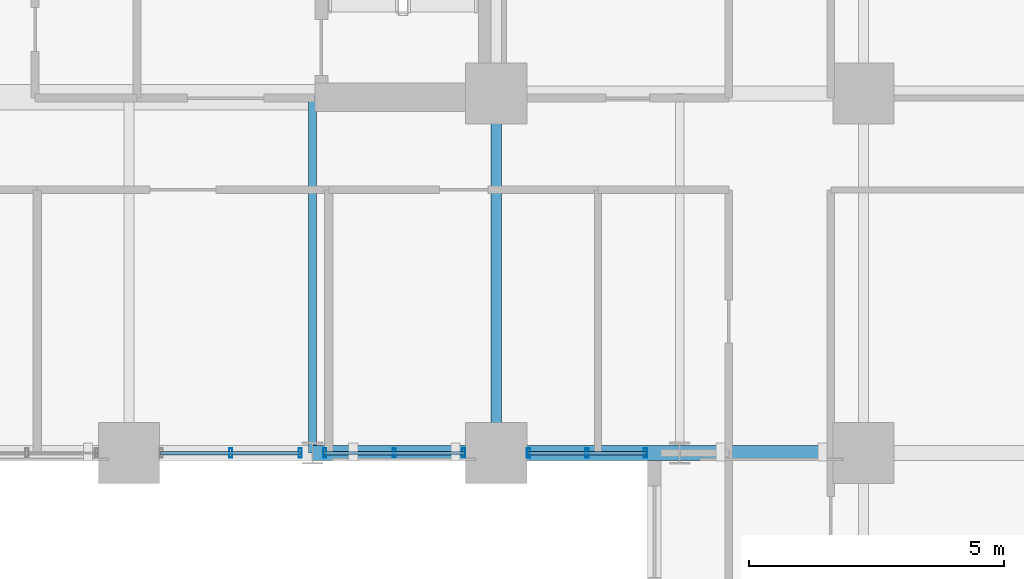
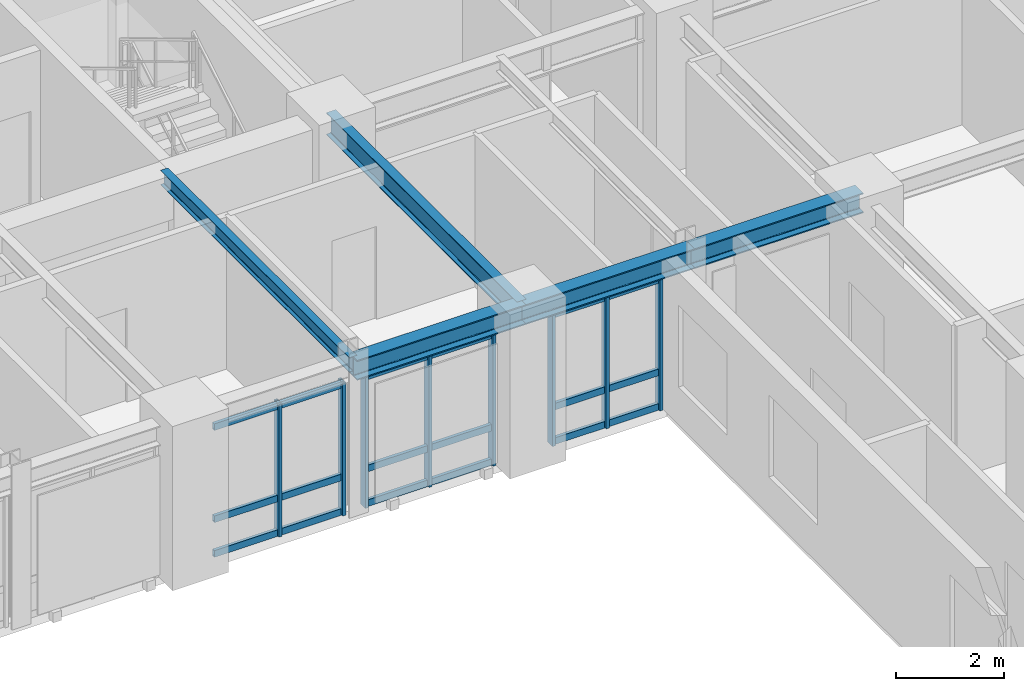
# One storey, part 5 of 16: 17 members, 5 beams, 3 elements without a shape of their own.
"""IFC4 building model written with IfcOpenShell, lengths in metres."""

from ifc_helpers import new_model, si_unit, direction, frame, origin, origin_2d, place, context, subcontext, project, spatial, hollow_rectangle, i_section, extrude, source, transform, mapped, material, layer, layer_set, material_profile, profile_set, type_object, element, aggregate, save


model = new_model("IFC4")

# Units and contexts
model_context = context("Model", 3, precision=1e-05, world=origin(), true_north=direction((0.0, 1.0)))
body_context = subcontext(model_context, "Body", "Model", "MODEL_VIEW")
ifc_project = project(units=[si_unit("LENGTHUNIT", "METRE"), si_unit("AREAUNIT", "SQUARE_METRE"), si_unit("VOLUMEUNIT", "CUBIC_METRE"), si_unit("PLANEANGLEUNIT", "RADIAN"), si_unit("MASSUNIT", "GRAM", prefix="KILO")], contexts=[model_context])

# Site, building, storey
site_placement = place(None, origin())
site = spatial("IfcSite", under=ifc_project, at=site_placement, CompositionType="ELEMENT")
building_placement = place(site_placement, origin())
building = spatial("IfcBuilding", under=site, at=building_placement, Name="Kaliganga Portal Commons", CompositionType="ELEMENT")
storey_placement = place(building_placement, frame((0.0, 0.0, 97.10009765625)))
storey = spatial("IfcBuildingStorey", under=building, at=storey_placement, Name="L24", CompositionType="ELEMENT", Elevation=97.10009765625)

# Beams
ifc_material_1 = material(Name="Structural steel S355J2", Category="steel")
ifc_material_profile_1 = material_profile(ifc_material_1, i_section(OverallWidth=0.199951171875, OverallDepth=0.5, WebThickness=0.01025390625, FlangeThickness=0.01611328125, FilletRadius=0.02099609375, at=origin_2d()), Name="IPE 500")
ifc_profile_set_1 = profile_set([ifc_material_profile_1], Name="Structural steel S355J2 wide-flange")
beam_type_1 = type_object("IfcBeamType", Name="BM-FLR-500", PredefinedType="BEAM", material=ifc_profile_set_1)
shared_shape_1 = source(origin(), body_context, "Body", "SweptSolid", [
    extrude(i_section(OverallWidth=0.199951171875, OverallDepth=0.5, WebThickness=0.01025390625, FlangeThickness=0.01611328125, FilletRadius=0.02099609375, at=origin_2d()), origin(), (0.0, 0.0, 1.0), 7.0498046875),
])
beam_1_placement = place(storey_placement, frame((28.800048828125, 21.60009765625, 3.199951171875), z_axis=(0.0, 1.0, 0.0), x_axis=(-1.0, 0.0, 0.0)))
element("IfcBeam", 1, at=beam_1_placement, inside=storey, type_object=beam_type_1, Name="BM G L24 AS288", PredefinedType="BEAM", context=body_context, shape_type="MappedRepresentation", body=[
    mapped(shared_shape_1, transform((0.0, 0.0, 0.0), x_axis=(1.0, 0.0, 0.0), y_axis=(0.0, 1.0, 0.0), z_axis=(0.0, 0.0, 1.0), scale=1.0)),
])
ifc_material_profile_2 = material_profile(ifc_material_1, i_section(OverallWidth=0.300048828125, OverallDepth=0.449951171875, WebThickness=0.013916015625, FlangeThickness=0.02587890625, FilletRadius=0.027099609375, at=origin_2d()), Name="HE 450 B")
ifc_profile_set_2 = profile_set([ifc_material_profile_2], Name="Structural steel S355J2 wide-flange")
beam_type_2 = type_object("IfcBeamType", Name="BM-SPAND-450", PredefinedType="SPANDREL", material=ifc_profile_set_2)
shared_shape_2 = source(origin(), body_context, "Body", "SweptSolid", [
    extrude(i_section(OverallWidth=0.300048828125, OverallDepth=0.449951171875, WebThickness=0.013916015625, FlangeThickness=0.02587890625, FilletRadius=0.027099609375, at=origin_2d()), origin(), (0.0, 0.0, 1.0), 3.60009765625),
])
for number, where, z_axis, x_axis, name in (
    (2, (25.199951171875, 21.60009765625, 3.224853515625), (1.0, 0.0, 0.0), (0.0, 1.0, 0.0), "BM SP L24 AS 4"),
    (3, (32.39990234375, 21.60009765625, 3.224853515625), (1.0, 0.0, 0.0), (0.0, 1.0, 0.0), "BM SP L24 AS 6"),
):
    element("IfcBeam", number, at=place(storey_placement, frame(where, z_axis=z_axis, x_axis=x_axis)), inside=storey, type_object=beam_type_2, Name=name, PredefinedType="SPANDREL", context=body_context, shape_type="MappedRepresentation", body=[
        mapped(shared_shape_2, transform((0.0, 0.0, 0.0), x_axis=(1.0, 0.0, 0.0), y_axis=(0.0, 1.0, 0.0), z_axis=(0.0, 0.0, 1.0), scale=1.0)),
    ])
shared_shape_3 = source(origin(), body_context, "Body", "SweptSolid", [
    extrude(i_section(OverallWidth=0.300048828125, OverallDepth=0.449951171875, WebThickness=0.013916015625, FlangeThickness=0.02587890625, FilletRadius=0.027099609375, at=origin_2d()), origin(), (0.0, 0.0, 1.0), 3.599853515625),
])
beam_2_placement = place(storey_placement, frame((28.800048828125, 21.60009765625, 3.224853515625), z_axis=(1.0, 0.0, 0.0), x_axis=(0.0, 1.0, 0.0)))
element("IfcBeam", 4, at=beam_2_placement, inside=storey, type_object=beam_type_2, Name="BM SP L24 AS 5", PredefinedType="SPANDREL", context=body_context, shape_type="MappedRepresentation", body=[
    mapped(shared_shape_3, transform((0.0, 0.0, 0.0), x_axis=(1.0, 0.0, 0.0), y_axis=(0.0, 1.0, 0.0), z_axis=(0.0, 0.0, 1.0), scale=1.0)),
])
ifc_material_profile_3 = material_profile(ifc_material_1, i_section(OverallWidth=0.159912109375, OverallDepth=0.330078125, WebThickness=0.007568359375, FlangeThickness=0.011474609375, FilletRadius=0.01806640625, at=origin_2d()), Name="IPE 330")
ifc_profile_set_3 = profile_set([ifc_material_profile_3], Name="Structural steel S355J2 wide-flange")
beam_type_3 = type_object("IfcBeamType", Name="BM-JST-330", PredefinedType="JOIST", material=ifc_profile_set_3)
shared_shape_4 = source(origin(), body_context, "Body", "SweptSolid", [
    extrude(i_section(OverallWidth=0.159912109375, OverallDepth=0.330078125, WebThickness=0.007568359375, FlangeThickness=0.011474609375, FilletRadius=0.01806640625, at=origin_2d()), origin(), (0.0, 0.0, 1.0), 6.974853515625),
])
beam_3_placement = place(storey_placement, frame((25.199951171875, 21.60009765625, 3.284912109375), z_axis=(0.0, 1.0, 0.0), x_axis=(-1.0, 0.0, 0.0)))
element("IfcBeam", 5, at=beam_3_placement, inside=storey, type_object=beam_type_3, Name="BM G L24 AS252", PredefinedType="JOIST", context=body_context, shape_type="MappedRepresentation", body=[
    mapped(shared_shape_4, transform((0.0, 0.0, 0.0), x_axis=(1.0, 0.0, 0.0), y_axis=(0.0, 1.0, 0.0), z_axis=(0.0, 0.0, 1.0), scale=1.0)),
])

# Curtain wall, members
ifc_material_2 = material(Name="Anodized Aluminium and Laminated Low-E Glass", Category="aluminium")
ifc_layer = layer(ifc_material_2, 0.2099609375)
ifc_layer_set = layer_set([ifc_layer], Name="Anodized Aluminium and Laminated Low-E Glass")
curtain_wall_type = type_object("IfcCurtainWallType", Name="CW-SYS-03", PredefinedType="NOTDEFINED", material=ifc_layer_set)
curtain_wall_1_placement = place(storey_placement, origin())
curtain_wall_1 = element("IfcCurtainWall", 6, at=curtain_wall_1_placement, inside=storey, type_object=curtain_wall_type, Name="CW 03 L24 P1E04S5", PredefinedType="NOTDEFINED")
ifc_material_3 = material(Name="Dark Bronze Anodized Aluminium", Category="aluminium")
ifc_material_profile_4 = material_profile(ifc_material_3, hollow_rectangle(XDim=0.070068359375, YDim=0.14990234375, WallThickness=0.00341796875, at=origin_2d()), Name="ALU TRAN 70x150x3.5")
ifc_profile_set_4 = profile_set([ifc_material_profile_4], Name="Dark Bronze Anodized Aluminium")
member_type_1 = type_object("IfcMemberType", Name="CW-TRN-150", PredefinedType="USERDEFINED", material=ifc_profile_set_4)
shared_shape_5 = source(origin(), body_context, "Body", "SweptSolid", [
    extrude(hollow_rectangle(XDim=0.070068359375, YDim=0.14990234375, WallThickness=0.00341796875, at=origin_2d()), origin(), (0.0, 0.0, 1.0), 2.75341796875),
])
member_1_placement = place(storey_placement, frame((25.425537109375, 21.60009765625, 0.059814453125), z_axis=(1.0, 0.0, 0.0), x_axis=(0.0, 1.0, 0.0)))
member_1 = element("IfcMember", 7, at=member_1_placement, type_object=member_type_1, Name="CW:03:L24:P1E04S5 Transom 1", ObjectType="TRANSOM", PredefinedType="USERDEFINED", context=body_context, shape_type="MappedRepresentation", body=[
    mapped(shared_shape_5, transform((0.0, 0.0, 0.0), x_axis=(1.0, 0.0, 0.0), y_axis=(0.0, 1.0, 0.0), z_axis=(0.0, 0.0, 1.0), scale=1.0)),
])
member_2_placement = place(storey_placement, frame((25.425537109375, 21.60009765625, 0.83984375), z_axis=(1.0, 0.0, 0.0), x_axis=(0.0, 1.0, 0.0)))
member_2 = element("IfcMember", 8, at=member_2_placement, type_object=member_type_1, Name="CW:03:L24:P1E04S5 Transom 2", ObjectType="TRANSOM", PredefinedType="USERDEFINED", context=body_context, shape_type="MappedRepresentation", body=[
    mapped(shared_shape_5, transform((0.0, 0.0, 0.0), x_axis=(1.0, 0.0, 0.0), y_axis=(0.0, 1.0, 0.0), z_axis=(0.0, 0.0, 1.0), scale=1.0)),
])
member_3_placement = place(storey_placement, frame((25.425537109375, 21.60009765625, 2.919921875), z_axis=(1.0, 0.0, 0.0), x_axis=(0.0, 1.0, 0.0)))
member_3 = element("IfcMember", 9, at=member_3_placement, type_object=member_type_1, Name="CW:03:L24:P1E04S5 Transom 3", ObjectType="TRANSOM", PredefinedType="USERDEFINED", context=body_context, shape_type="MappedRepresentation", body=[
    mapped(shared_shape_5, transform((0.0, 0.0, 0.0), x_axis=(1.0, 0.0, 0.0), y_axis=(0.0, 1.0, 0.0), z_axis=(0.0, 0.0, 1.0), scale=1.0)),
])

curtain_wall_2_placement = place(storey_placement, origin())
curtain_wall_2 = element("IfcCurtainWall", 10, at=curtain_wall_2_placement, inside=storey, type_object=curtain_wall_type, Name="CW 03 L24 P1E04S4", PredefinedType="NOTDEFINED")
shared_shape_6 = source(origin(), body_context, "Body", "SweptSolid", [
    extrude(hollow_rectangle(XDim=0.070068359375, YDim=0.14990234375, WallThickness=0.00341796875, at=origin_2d()), origin(), (0.0, 0.0, 1.0), 2.753662109375),
])
member_4_placement = place(storey_placement, frame((22.220947265625, 21.60009765625, 0.059814453125), z_axis=(1.0, 0.0, 0.0), x_axis=(0.0, 1.0, 0.0)))
member_4 = element("IfcMember", 11, at=member_4_placement, type_object=member_type_1, Name="CW:03:L24:P1E04S4 Transom 1", ObjectType="TRANSOM", PredefinedType="USERDEFINED", context=body_context, shape_type="MappedRepresentation", body=[
    mapped(shared_shape_6, transform((0.0, 0.0, 0.0), x_axis=(1.0, 0.0, 0.0), y_axis=(0.0, 1.0, 0.0), z_axis=(0.0, 0.0, 1.0), scale=1.0)),
])
member_5_placement = place(storey_placement, frame((22.220947265625, 21.60009765625, 0.83984375), z_axis=(1.0, 0.0, 0.0), x_axis=(0.0, 1.0, 0.0)))
member_5 = element("IfcMember", 12, at=member_5_placement, type_object=member_type_1, Name="CW:03:L24:P1E04S4 Transom 2", ObjectType="TRANSOM", PredefinedType="USERDEFINED", context=body_context, shape_type="MappedRepresentation", body=[
    mapped(shared_shape_6, transform((0.0, 0.0, 0.0), x_axis=(1.0, 0.0, 0.0), y_axis=(0.0, 1.0, 0.0), z_axis=(0.0, 0.0, 1.0), scale=1.0)),
])
member_6_placement = place(storey_placement, frame((22.220947265625, 21.60009765625, 2.919921875), z_axis=(1.0, 0.0, 0.0), x_axis=(0.0, 1.0, 0.0)))
member_6 = element("IfcMember", 13, at=member_6_placement, type_object=member_type_1, Name="CW:03:L24:P1E04S4 Transom 3", ObjectType="TRANSOM", PredefinedType="USERDEFINED", context=body_context, shape_type="MappedRepresentation", body=[
    mapped(shared_shape_6, transform((0.0, 0.0, 0.0), x_axis=(1.0, 0.0, 0.0), y_axis=(0.0, 1.0, 0.0), z_axis=(0.0, 0.0, 1.0), scale=1.0)),
])

curtain_wall_3_placement = place(storey_placement, origin())
curtain_wall_3 = element("IfcCurtainWall", 14, at=curtain_wall_3_placement, inside=storey, type_object=curtain_wall_type, Name="CW 03 L24 P1E04S6", PredefinedType="NOTDEFINED")
shared_shape_7 = source(origin(), body_context, "Body", "SweptSolid", [
    extrude(hollow_rectangle(XDim=0.070068359375, YDim=0.14990234375, WallThickness=0.00341796875, at=origin_2d()), origin(), (0.0, 0.0, 1.0), 2.319091796875),
])
member_7_placement = place(storey_placement, frame((29.4208984375, 21.60009765625, 0.059814453125), z_axis=(1.0, 0.0, 0.0), x_axis=(0.0, 1.0, 0.0)))
member_7 = element("IfcMember", 15, at=member_7_placement, type_object=member_type_1, Name="CW:03:L24:P1E04S6 Transom 1", ObjectType="TRANSOM", PredefinedType="USERDEFINED", context=body_context, shape_type="MappedRepresentation", body=[
    mapped(shared_shape_7, transform((0.0, 0.0, 0.0), x_axis=(1.0, 0.0, 0.0), y_axis=(0.0, 1.0, 0.0), z_axis=(0.0, 0.0, 1.0), scale=1.0)),
])
member_8_placement = place(storey_placement, frame((29.4208984375, 21.60009765625, 0.83984375), z_axis=(1.0, 0.0, 0.0), x_axis=(0.0, 1.0, 0.0)))
member_8 = element("IfcMember", 16, at=member_8_placement, type_object=member_type_1, Name="CW:03:L24:P1E04S6 Transom 2", ObjectType="TRANSOM", PredefinedType="USERDEFINED", context=body_context, shape_type="MappedRepresentation", body=[
    mapped(shared_shape_7, transform((0.0, 0.0, 0.0), x_axis=(1.0, 0.0, 0.0), y_axis=(0.0, 1.0, 0.0), z_axis=(0.0, 0.0, 1.0), scale=1.0)),
])
member_9_placement = place(storey_placement, frame((29.4208984375, 21.60009765625, 2.919921875), z_axis=(1.0, 0.0, 0.0), x_axis=(0.0, 1.0, 0.0)))
member_9 = element("IfcMember", 17, at=member_9_placement, type_object=member_type_1, Name="CW:03:L24:P1E04S6 Transom 3", ObjectType="TRANSOM", PredefinedType="USERDEFINED", context=body_context, shape_type="MappedRepresentation", body=[
    mapped(shared_shape_7, transform((0.0, 0.0, 0.0), x_axis=(1.0, 0.0, 0.0), y_axis=(0.0, 1.0, 0.0), z_axis=(0.0, 0.0, 1.0), scale=1.0)),
])

# Member
ifc_material_profile_5 = material_profile(ifc_material_3, hollow_rectangle(XDim=0.06494140625, YDim=0.179931640625, WallThickness=0.00390625, at=origin_2d()), Name="ALU MULL 65x180x4")
ifc_profile_set_5 = profile_set([ifc_material_profile_5], Name="Dark Bronze Anodized Aluminium")
member_type_2 = type_object("IfcMemberType", Name="CW-MUL-180", PredefinedType="MULLION", material=ifc_profile_set_5)
shared_shape_8 = source(origin(), body_context, "Body", "SweptSolid", [
    extrude(hollow_rectangle(XDim=0.06494140625, YDim=0.179931640625, WallThickness=0.00390625, at=origin_2d()), origin(), (0.0, 0.0, 1.0), 3.0),
])
member_10_placement = place(storey_placement, frame((23.59765625, 21.60009765625, 0.0), z_axis=(0.0, 0.0, 1.0), x_axis=(1.0, 0.0, 0.0)))
member_10 = element("IfcMember", 18, at=member_10_placement, type_object=member_type_2, Name="CW:03:L24:P1E04S4 Mullion 01", PredefinedType="MULLION", context=body_context, shape_type="MappedRepresentation", body=[
    mapped(shared_shape_8, transform((0.0, 0.0, 0.0), x_axis=(1.0, 0.0, 0.0), y_axis=(0.0, 1.0, 0.0), z_axis=(0.0, 0.0, 1.0), scale=1.0)),
])

member_11_placement = place(storey_placement, frame((24.95947265625, 21.60009765625, 0.0), z_axis=(0.0, 0.0, 1.0), x_axis=(1.0, 0.0, 0.0)))
member_11 = element("IfcMember", 19, at=member_11_placement, type_object=member_type_2, Name="CW:03:L24:P1E04S4 Mullion 02", PredefinedType="MULLION", context=body_context, shape_type="MappedRepresentation", body=[
    mapped(shared_shape_8, transform((0.0, 0.0, 0.0), x_axis=(1.0, 0.0, 0.0), y_axis=(0.0, 1.0, 0.0), z_axis=(0.0, 0.0, 1.0), scale=1.0)),
])

aggregate(curtain_wall_2, [member_10, member_11, member_4, member_5, member_6])

member_12_placement = place(storey_placement, frame((25.4404296875, 21.60009765625, 0.0), z_axis=(0.0, 0.0, 1.0), x_axis=(1.0, 0.0, 0.0)))
member_12 = element("IfcMember", 20, at=member_12_placement, type_object=member_type_2, Name="CW:03:L24:P1E04S5 Mullion 00", PredefinedType="MULLION", context=body_context, shape_type="MappedRepresentation", body=[
    mapped(shared_shape_8, transform((0.0, 0.0, 0.0), x_axis=(1.0, 0.0, 0.0), y_axis=(0.0, 1.0, 0.0), z_axis=(0.0, 0.0, 1.0), scale=1.0)),
])

member_13_placement = place(storey_placement, frame((26.80224609375, 21.60009765625, 0.0), z_axis=(0.0, 0.0, 1.0), x_axis=(1.0, 0.0, 0.0)))
member_13 = element("IfcMember", 21, at=member_13_placement, type_object=member_type_2, Name="CW:03:L24:P1E04S5 Mullion 01", PredefinedType="MULLION", context=body_context, shape_type="MappedRepresentation", body=[
    mapped(shared_shape_8, transform((0.0, 0.0, 0.0), x_axis=(1.0, 0.0, 0.0), y_axis=(0.0, 1.0, 0.0), z_axis=(0.0, 0.0, 1.0), scale=1.0)),
])

member_14_placement = place(storey_placement, frame((28.1640625, 21.60009765625, 0.0), z_axis=(0.0, 0.0, 1.0), x_axis=(1.0, 0.0, 0.0)))
member_14 = element("IfcMember", 22, at=member_14_placement, type_object=member_type_2, Name="CW:03:L24:P1E04S5 Mullion 02", PredefinedType="MULLION", context=body_context, shape_type="MappedRepresentation", body=[
    mapped(shared_shape_8, transform((0.0, 0.0, 0.0), x_axis=(1.0, 0.0, 0.0), y_axis=(0.0, 1.0, 0.0), z_axis=(0.0, 0.0, 1.0), scale=1.0)),
])

aggregate(curtain_wall_1, [member_12, member_13, member_14, member_1, member_2, member_3])

member_15_placement = place(storey_placement, frame((29.43603515625, 21.60009765625, 0.0), z_axis=(0.0, 0.0, 1.0), x_axis=(1.0, 0.0, 0.0)))
member_15 = element("IfcMember", 23, at=member_15_placement, type_object=member_type_2, Name="CW:03:L24:P1E04S6 Mullion 00", PredefinedType="MULLION", context=body_context, shape_type="MappedRepresentation", body=[
    mapped(shared_shape_8, transform((0.0, 0.0, 0.0), x_axis=(1.0, 0.0, 0.0), y_axis=(0.0, 1.0, 0.0), z_axis=(0.0, 0.0, 1.0), scale=1.0)),
])

member_16_placement = place(storey_placement, frame((30.58056640625, 21.60009765625, 0.0), z_axis=(0.0, 0.0, 1.0), x_axis=(1.0, 0.0, 0.0)))
member_16 = element("IfcMember", 24, at=member_16_placement, type_object=member_type_2, Name="CW:03:L24:P1E04S6 Mullion 01", PredefinedType="MULLION", context=body_context, shape_type="MappedRepresentation", body=[
    mapped(shared_shape_8, transform((0.0, 0.0, 0.0), x_axis=(1.0, 0.0, 0.0), y_axis=(0.0, 1.0, 0.0), z_axis=(0.0, 0.0, 1.0), scale=1.0)),
])

member_17_placement = place(storey_placement, frame((31.72509765625, 21.60009765625, 0.0), z_axis=(0.0, 0.0, 1.0), x_axis=(1.0, 0.0, 0.0)))
member_17 = element("IfcMember", 25, at=member_17_placement, type_object=member_type_2, Name="CW:03:L24:P1E04S6 Mullion 02", PredefinedType="MULLION", context=body_context, shape_type="MappedRepresentation", body=[
    mapped(shared_shape_8, transform((0.0, 0.0, 0.0), x_axis=(1.0, 0.0, 0.0), y_axis=(0.0, 1.0, 0.0), z_axis=(0.0, 0.0, 1.0), scale=1.0)),
])

aggregate(curtain_wall_3, [member_15, member_16, member_17, member_7, member_8, member_9])

save(model, "model.ifc")
